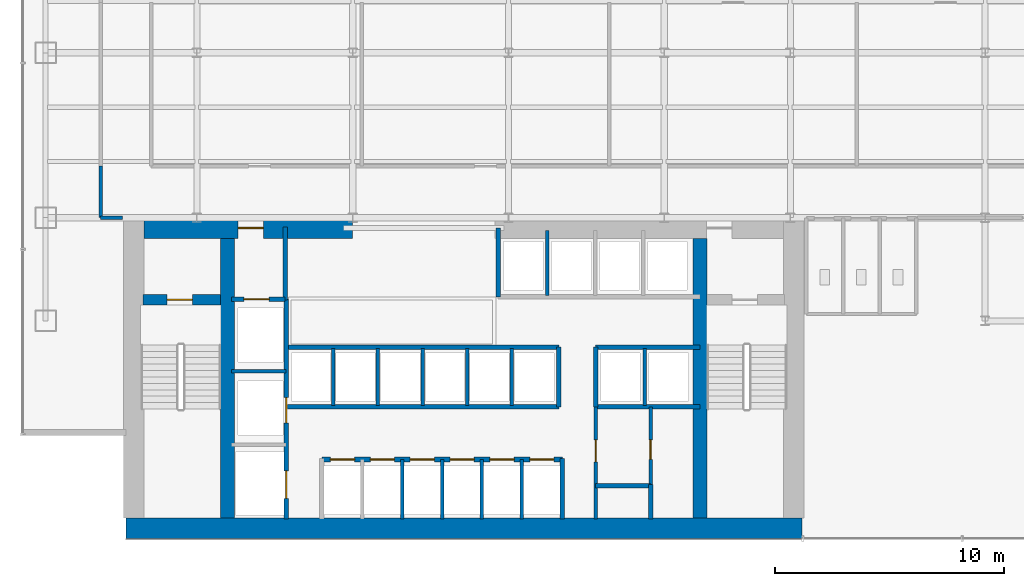
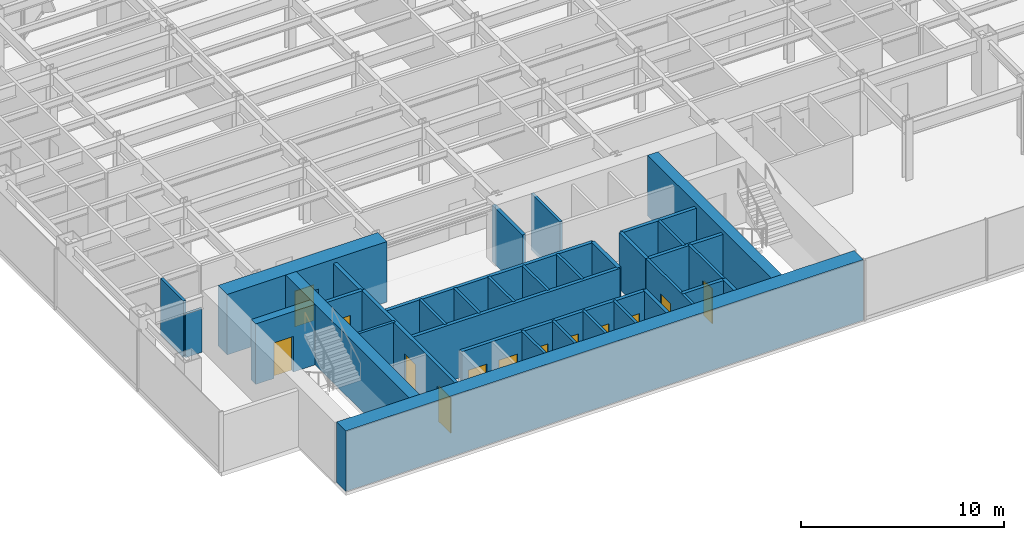
# One storey, part 18 of 23: 35 walls, 13 doors, 13 openings.
"""IFC4 building model written with IfcOpenShell, lengths in metres."""

from ifc_helpers import new_model, si_unit, derived_unit, direction, frame, frame_2d, origin, place, context, subcontext, project, spatial, rectangle, extrude, source, transform, mapped, material, layer, layer_set, type_object, element, fill, save


model = new_model("IFC4")

# Units and contexts
model_context = context("Model", 3, precision=1e-05, world=origin(), true_north=direction((0.0, 1.0)))
body_context = subcontext(model_context, "Body", "Model", "MODEL_VIEW")
ifc_project = project(units=[si_unit("LENGTHUNIT", "METRE"), si_unit("AREAUNIT", "SQUARE_METRE"), si_unit("VOLUMEUNIT", "CUBIC_METRE"), si_unit("PLANEANGLEUNIT", "RADIAN"), si_unit("MASSUNIT", "GRAM", prefix="KILO"), derived_unit("THERMALTRANSMITTANCEUNIT", [(si_unit("POWERUNIT", "WATT"), 1), (si_unit("LENGTHUNIT", "METRE"), -2), (si_unit("THERMODYNAMICTEMPERATUREUNIT", "KELVIN"), -1)])], contexts=[model_context])

# Site, building, storey
site_placement = place(None, origin())
site = spatial("IfcSite", under=ifc_project, at=site_placement, CompositionType="ELEMENT")
building_placement = place(site_placement, origin())
building = spatial("IfcBuilding", under=site, at=building_placement, Name="Skarnbrae Concourse Arena and Tower", CompositionType="ELEMENT")
storey_placement = place(building_placement, frame((0.0, 0.0, 50.75)))
storey = spatial("IfcBuildingStorey", under=building, at=storey_placement, Name="L11", CompositionType="ELEMENT", Elevation=50.75)

# Wall
ifc_material_1 = material(Name="Concrete 70 MPa (C70/85)", Category="concrete")
ifc_layer_1 = layer(ifc_material_1, 0.89990234375)
ifc_layer_set_1 = layer_set([ifc_layer_1], Name="Concrete 70 MPa (C70/85)")
wall_type_1 = type_object("IfcWallType", Name="WALL-CORE-900-C70", PredefinedType="SHEAR", material=ifc_layer_set_1)
shared_shape_1 = source(origin(), body_context, "Body", "SweptSolid", [
    extrude(rectangle(XDim=29.5, YDim=0.89990234375, at=frame_2d((14.75, 0.0))), origin(), (0.0, 0.0, 1.0), 3.64990234375),
])
wall_1_placement = place(storey_placement, frame((4.5, 0.449951171875, 0.0), z_axis=(0.0, 0.0, 1.0), x_axis=(1.0, 0.0, 0.0)))
element("IfcWall", 1, at=wall_1_placement, inside=storey, type_object=wall_type_1, Name="L11 Rear core shear wall CW-S", PredefinedType="SHEAR", context=body_context, shape_type="MappedRepresentation", body=[
    mapped(shared_shape_1, transform((0.0, 0.0, 0.0))),
])

# Wall, opening, door
shared_shape_2 = source(origin(), body_context, "Body", "SweptSolid", [
    extrude(rectangle(XDim=9.099853515625, YDim=0.89990234375, at=frame_2d((4.5498046875, 0.0))), origin(), (0.0, 0.0, 1.0), 3.64990234375),
])
wall_2_placement = place(storey_placement, frame((5.300048828125, 13.550048828125, 0.0), z_axis=(0.0, 0.0, 1.0), x_axis=(1.0, 0.0, 0.0)))
wall_2 = element("IfcWall", 2, at=wall_2_placement, inside=storey, type_object=wall_type_1, Name="L11 Rear core shear wall CW-NW", PredefinedType="SHEAR", context=body_context, shape_type="MappedRepresentation", body=[
    mapped(shared_shape_2, transform((0.0, 0.0, 0.0))),
])
opening_1_placement = place(wall_2_placement, frame((4.10009765625, 0.0, 0.0)))
opening_1 = element("IfcOpeningElement", 3, at=opening_1_placement, cuts=wall_2, Name="Opening DT-03", PredefinedType="OPENING", context=body_context, shape_type="SweptSolid", body=[
    extrude(rectangle(XDim=1.10009765625, YDim=2.14990234375, at=frame_2d((0.550048828125, 1.074951171875))), frame((0.0, 0.4599609375, 0.0), z_axis=(0.0, -1.0, 0.0), x_axis=(1.0, 0.0, 0.0)), (0.0, 0.0, 1.0), 0.919921875),
])
ifc_material_2 = material(Name="Steel CSA G40.21 350W", Category="steel")
door_type_1 = type_object("IfcDoorType", Name="DOOR-FIRE-1100-90M", OperationType="NOTDEFINED", PredefinedType="DOOR", material=ifc_material_2)
shared_shape_3 = source(origin(), body_context, "Body", "SweptSolid", [
    extrude(rectangle(XDim=1.10009765625, YDim=2.14990234375, at=frame_2d((0.550048828125, 1.074951171875))), frame((0.0, 0.02490234375, 0.0), z_axis=(0.0, -1.0, 0.0), x_axis=(1.0, 0.0, 0.0)), (0.0, 0.0, 1.0), 0.050048828125),
])
door_1_placement = place(opening_1_placement, origin())
door_1 = element("IfcDoor", 4, at=door_1_placement, inside=storey, type_object=door_type_1, Name="D-0467 Firefighting Lobby Exit Door", OperationType="SINGLE_SWING_RIGHT", OverallHeight=2.14990234375, OverallWidth=1.10009765625, PredefinedType="DOOR", context=body_context, shape_type="MappedRepresentation", body=[
    mapped(shared_shape_3, transform((0.0, 0.0, 0.0))),
])
fill(opening_1, door_1)

# Walls
ifc_layer_2 = layer(ifc_material_1, 0.60009765625)
ifc_layer_set_2 = layer_set([ifc_layer_2], Name="Concrete 70 MPa (C70/85)")
wall_type_2 = type_object("IfcWallType", Name="WALL-CORE-600-C70", PredefinedType="SHEAR", material=ifc_layer_set_2)
shared_shape_4 = source(origin(), body_context, "Body", "SweptSolid", [
    extrude(rectangle(XDim=12.2001953125, YDim=0.60009765625, at=frame_2d((6.10009765625, 0.0))), origin(), (0.0, 0.0, 1.0), 3.64990234375),
])
for number, where, z_axis, x_axis, name in (
    (5, (8.93994140625, 0.89990234375, 0.0), (0.0, 0.0, 1.0), (0.0, 1.0, 0.0), "L11 Rear core shear wall CW-WEB-W"),
    (6, (29.56005859375, 0.89990234375, 0.0), (0.0, 0.0, 1.0), (0.0, 1.0, 0.0), "L11 Rear core shear wall CW-WEB-E"),
):
    element("IfcWall", number, at=place(storey_placement, frame(where, z_axis=z_axis, x_axis=x_axis)), inside=storey, type_object=wall_type_2, Name=name, PredefinedType="SHEAR", context=body_context, shape_type="MappedRepresentation", body=[
        mapped(shared_shape_4, transform((0.0, 0.0, 0.0))),
    ])

# Wall, opening, door
ifc_material_3 = material(Name="Concrete 50 MPa (C50/60)", Category="concrete")
ifc_layer_3 = layer(ifc_material_3, 0.449951171875)
ifc_layer_set_3 = layer_set([ifc_layer_3], Name="Concrete 50 MPa (C50/60)")
wall_type_3 = type_object("IfcWallType", Name="WALL-CORE-450-C50", PredefinedType="SHEAR", material=ifc_layer_set_3)
shared_shape_5 = source(origin(), body_context, "Body", "SweptSolid", [
    extrude(rectangle(XDim=3.389892578125, YDim=0.449951171875, at=frame_2d((1.69482421875, 0.0))), origin(), (0.0, 0.0, 1.0), 3.64990234375),
])
wall_3_placement = place(storey_placement, frame((5.25, 10.419921875, 0.0), z_axis=(0.0, 0.0, 1.0), x_axis=(1.0, 0.0, 0.0)))
wall_3 = element("IfcWall", 7, at=wall_3_placement, inside=storey, type_object=wall_type_3, Name="L11 Rear core shear wall CW-ST1-N", PredefinedType="SHEAR", context=body_context, shape_type="MappedRepresentation", body=[
    mapped(shared_shape_5, transform((0.0, 0.0, 0.0))),
])
opening_2_placement = place(wall_3_placement, frame((1.050048828125, 0.0, 0.0)))
opening_2 = element("IfcOpeningElement", 8, at=opening_2_placement, cuts=wall_3, Name="Opening DT-03", PredefinedType="OPENING", context=body_context, shape_type="SweptSolid", body=[
    extrude(rectangle(XDim=1.10009765625, YDim=2.14990234375, at=frame_2d((0.550048828125, 1.074951171875))), frame((0.0, 0.23486328125, 0.0), z_axis=(0.0, -1.0, 0.0), x_axis=(1.0, 0.0, 0.0)), (0.0, 0.0, 1.0), 0.469970703125),
])
door_2_placement = place(opening_2_placement, frame((1.10009765625, 0.0, 0.0), z_axis=(0.0, 0.0, 1.0), x_axis=(-1.0, 0.0, 0.0)))
door_2 = element("IfcDoor", 9, at=door_2_placement, inside=storey, type_object=door_type_1, Name="D-0465 Stair ST-1 Door", OperationType="SINGLE_SWING_LEFT", OverallHeight=2.14990234375, OverallWidth=1.10009765625, PredefinedType="DOOR", context=body_context, shape_type="MappedRepresentation", body=[
    mapped(shared_shape_3, transform((0.0, 0.0, 0.0))),
])
fill(opening_2, door_2)

# Wall
ifc_material_4 = material(Name="Gypsum board on cold-formed steel studs", Category="steel")
ifc_layer_4 = layer(ifc_material_4, 0.199951171875)
ifc_layer_set_4 = layer_set([ifc_layer_4], Name="Gypsum board on cold-formed steel studs")
wall_type_4 = type_object("IfcWallType", Name="WALL-PART-200-2HR", PredefinedType="PARTITIONING", material=ifc_layer_set_4)
shared_shape_6 = source(origin(), body_context, "Body", "SweptSolid", [
    extrude(rectangle(XDim=3.18017578125, YDim=0.199951171875, at=frame_2d((1.590087890625, 0.0))), origin(), (0.0, 0.0, 1.0), 3.39990234375),
])
wall_4_placement = place(storey_placement, frame((11.449951171875, 10.419921875, 0.0), z_axis=(0.0, 0.0, 1.0), x_axis=(0.0, 1.0, 0.0)))
element("IfcWall", 10, at=wall_4_placement, inside=storey, type_object=wall_type_4, Name="L11 Interior partition wall W-L11-FFL-E", PredefinedType="PARTITIONING", context=body_context, shape_type="MappedRepresentation", body=[
    mapped(shared_shape_6, transform((0.0, 0.0, 0.0))),
])

# Wall, opening, door
shared_shape_7 = source(origin(), body_context, "Body", "SweptSolid", [
    extrude(rectangle(XDim=2.349853515625, YDim=0.199951171875, at=frame_2d((1.1748046875, 0.0))), origin(), (0.0, 0.0, 1.0), 3.39990234375),
])
wall_5_placement = place(storey_placement, frame((9.10009765625, 10.449951171875, 0.0), z_axis=(0.0, 0.0, 1.0), x_axis=(1.0, 0.0, 0.0)))
wall_5 = element("IfcWall", 11, at=wall_5_placement, inside=storey, type_object=wall_type_4, Name="L11 Interior partition wall W-L11-FL1-N", PredefinedType="PARTITIONING", context=body_context, shape_type="MappedRepresentation", body=[
    mapped(shared_shape_7, transform((0.0, 0.0, 0.0))),
])
opening_3_placement = place(wall_5_placement, frame((0.550048828125, 0.0, 0.0)))
opening_3 = element("IfcOpeningElement", 12, at=opening_3_placement, cuts=wall_5, Name="Opening LD-01", PredefinedType="OPENING", context=body_context, shape_type="SweptSolid", body=[
    extrude(rectangle(XDim=1.10009765625, YDim=2.14990234375, at=frame_2d((0.550048828125, 1.074951171875))), frame((0.0, 0.10986328125, 0.0), z_axis=(0.0, -1.0, 0.0), x_axis=(1.0, 0.0, 0.0)), (0.0, 0.0, 1.0), 0.219970703125),
])
door_type_2 = type_object("IfcDoorType", Name="DOOR-LIFT-SLIDE-1100", OperationType="SLIDING_TO_LEFT", PredefinedType="DOOR", material=ifc_material_2)
door_3_placement = place(opening_3_placement, origin())
door_3 = element("IfcDoor", 13, at=door_3_placement, inside=storey, type_object=door_type_2, Name="D-0469 Firefighting Lift Landing Door FL-01", OperationType="SLIDING_TO_LEFT", OverallHeight=2.14990234375, OverallWidth=1.10009765625, PredefinedType="DOOR", context=body_context, shape_type="MappedRepresentation", body=[
    mapped(shared_shape_3, transform((0.0, 0.0, 0.0))),
])
fill(opening_3, door_3)

# Wall, openings, doors
shared_shape_8 = source(origin(), body_context, "Body", "SweptSolid", [
    extrude(rectangle(XDim=9.599853515625, YDim=0.199951171875, at=frame_2d((4.7998046875, 0.0))), origin(), (0.0, 0.0, 1.0), 3.39990234375),
])
wall_6_placement = place(storey_placement, frame((11.5, 0.85009765625, 0.0), z_axis=(0.0, 0.0, 1.0), x_axis=(0.0, 1.0, 0.0)))
wall_6 = element("IfcWall", 14, at=wall_6_placement, inside=storey, type_object=wall_type_4, Name="L11 Interior partition wall W-L11-FL-E", PredefinedType="PARTITIONING", context=body_context, shape_type="MappedRepresentation", body=[
    mapped(shared_shape_8, transform((0.0, 0.0, 0.0))),
])
opening_4_placement = place(wall_6_placement, frame((4.199951171875, 0.0, 0.0)))
opening_4 = element("IfcOpeningElement", 15, at=opening_4_placement, cuts=wall_6, Name="Opening LD-01", PredefinedType="OPENING", context=body_context, shape_type="SweptSolid", body=[
    extrude(rectangle(XDim=1.10009765625, YDim=2.14990234375, at=frame_2d((0.550048828125, 1.074951171875))), frame((0.0, 0.10986328125, 0.0), z_axis=(0.0, -1.0, 0.0), x_axis=(1.0, 0.0, 0.0)), (0.0, 0.0, 1.0), 0.219970703125),
])
opening_5_placement = place(wall_6_placement, frame((0.89990234375, 0.0, 0.0)))
opening_5 = element("IfcOpeningElement", 16, at=opening_5_placement, cuts=wall_6, Name="Opening LD-02", PredefinedType="OPENING", context=body_context, shape_type="SweptSolid", body=[
    extrude(rectangle(XDim=1.199951171875, YDim=2.14990234375, at=frame_2d((0.60009765625, 1.074951171875))), frame((0.0, 0.10986328125, 0.0), z_axis=(0.0, -1.0, 0.0), x_axis=(1.0, 0.0, 0.0)), (0.0, 0.0, 1.0), 0.219970703125),
])
door_4_placement = place(opening_4_placement, frame((1.10009765625, 0.0, 0.0), z_axis=(0.0, 0.0, 1.0), x_axis=(-1.0, 0.0, 0.0)))
door_4 = element("IfcDoor", 17, at=door_4_placement, inside=storey, type_object=door_type_2, Name="D-0470 Firefighting Lift Landing Door FL-02", OperationType="SLIDING_TO_LEFT", OverallHeight=2.14990234375, OverallWidth=1.10009765625, PredefinedType="DOOR", context=body_context, shape_type="MappedRepresentation", body=[
    mapped(shared_shape_3, transform((0.0, 0.0, 0.0))),
])
fill(opening_4, door_4)
door_type_3 = type_object("IfcDoorType", Name="DOOR-LIFT-SLIDE-1200", OperationType="SLIDING_TO_LEFT", PredefinedType="DOOR", material=ifc_material_2)
shared_shape_9 = source(origin(), body_context, "Body", "SweptSolid", [
    extrude(rectangle(XDim=1.199951171875, YDim=2.14990234375, at=frame_2d((0.60009765625, 1.074951171875))), frame((0.0, 0.02490234375, 0.0), z_axis=(0.0, -1.0, 0.0), x_axis=(1.0, 0.0, 0.0)), (0.0, 0.0, 1.0), 0.050048828125),
])
door_5_placement = place(opening_5_placement, frame((1.199951171875, 0.0, 0.0), z_axis=(0.0, 0.0, 1.0), x_axis=(-1.0, 0.0, 0.0)))
door_5 = element("IfcDoor", 18, at=door_5_placement, inside=storey, type_object=door_type_3, Name="D-0471 Service Lift Landing Door SV-01", OperationType="SLIDING_TO_LEFT", OverallHeight=2.14990234375, OverallWidth=1.199951171875, PredefinedType="DOOR", context=body_context, shape_type="MappedRepresentation", body=[
    mapped(shared_shape_9, transform((0.0, 0.0, 0.0))),
])
fill(opening_5, door_5)

# Walls
ifc_layer_5 = layer(ifc_material_4, 0.14990234375)
ifc_layer_set_5 = layer_set([ifc_layer_5], Name="Gypsum board on cold-formed steel studs")
wall_type_5 = type_object("IfcWallType", Name="WALL-PART-150", PredefinedType="PARTITIONING", material=ifc_layer_set_5)
shared_shape_10 = source(origin(), body_context, "Body", "SweptSolid", [
    extrude(rectangle(XDim=2.39990234375, YDim=0.14990234375, at=frame_2d((1.199951171875, 0.0))), origin(), (0.0, 0.0, 1.0), 3.39990234375),
])
wall_7_placement = place(storey_placement, frame((9.10009765625, 7.300048828125, 0.0), z_axis=(0.0, 0.0, 1.0), x_axis=(1.0, 0.0, 0.0)))
element("IfcWall", 19, at=wall_7_placement, inside=storey, type_object=wall_type_5, Name="L11 Interior partition wall W-L11-FL-D2", PredefinedType="PARTITIONING", context=body_context, shape_type="MappedRepresentation", body=[
    mapped(shared_shape_10, transform((0.0, 0.0, 0.0))),
])
shared_shape_11 = source(origin(), body_context, "Body", "SweptSolid", [
    extrude(rectangle(XDim=2.64990234375, YDim=0.199951171875, at=frame_2d((1.324951171875, 0.0))), origin(), (0.0, 0.0, 1.0), 3.39990234375),
])
wall_8_placement = place(storey_placement, frame((23.550048828125, 0.85009765625, 0.0), z_axis=(0.0, 0.0, 1.0), x_axis=(0.0, 1.0, 0.0)))
element("IfcWall", 20, at=wall_8_placement, inside=storey, type_object=wall_type_4, Name="L11 Interior partition wall W-L11-B1-E", PredefinedType="PARTITIONING", context=body_context, shape_type="MappedRepresentation", body=[
    mapped(shared_shape_11, transform((0.0, 0.0, 0.0))),
])

# Wall, openings, doors
shared_shape_12 = source(origin(), body_context, "Body", "SweptSolid", [
    extrude(rectangle(XDim=10.5, YDim=0.199951171875, at=frame_2d((5.25, 0.0))), origin(), (0.0, 0.0, 1.0), 3.39990234375),
])
wall_9_placement = place(storey_placement, frame((13.050048828125, 3.449951171875, 0.0), z_axis=(0.0, 0.0, 1.0), x_axis=(1.0, 0.0, 0.0)))
wall_9 = element("IfcWall", 21, at=wall_9_placement, inside=storey, type_object=wall_type_4, Name="L11 Interior partition wall W-L11-B1-N", PredefinedType="PARTITIONING", context=body_context, shape_type="MappedRepresentation", body=[
    mapped(shared_shape_12, transform((0.0, 0.0, 0.0))),
])
opening_6_placement = place(wall_9_placement, frame((0.3798828125, 0.0, 0.0)))
opening_6 = element("IfcOpeningElement", 22, at=opening_6_placement, cuts=wall_9, Name="Opening LD-03", PredefinedType="OPENING", context=body_context, shape_type="SweptSolid", body=[
    extrude(rectangle(XDim=1.050048828125, YDim=2.14990234375, at=frame_2d((0.52490234375, 1.074951171875))), frame((0.0, 0.10986328125, 0.0), z_axis=(0.0, -1.0, 0.0), x_axis=(1.0, 0.0, 0.0)), (0.0, 0.0, 1.0), 0.219970703125),
])
opening_7_placement = place(wall_9_placement, frame((2.1201171875, 0.0, 0.0)))
opening_7 = element("IfcOpeningElement", 23, at=opening_7_placement, cuts=wall_9, Name="Opening LD-03", PredefinedType="OPENING", context=body_context, shape_type="SweptSolid", body=[
    extrude(rectangle(XDim=1.050048828125, YDim=2.14990234375, at=frame_2d((0.52490234375, 1.074951171875))), frame((0.0, 0.10986328125, 0.0), z_axis=(0.0, -1.0, 0.0), x_axis=(1.0, 0.0, 0.0)), (0.0, 0.0, 1.0), 0.219970703125),
])
opening_8_placement = place(wall_9_placement, frame((3.860107421875, 0.0, 0.0)))
opening_8 = element("IfcOpeningElement", 24, at=opening_8_placement, cuts=wall_9, Name="Opening LD-03", PredefinedType="OPENING", context=body_context, shape_type="SweptSolid", body=[
    extrude(rectangle(XDim=1.050048828125, YDim=2.14990234375, at=frame_2d((0.52490234375, 1.074951171875))), frame((0.0, 0.10986328125, 0.0), z_axis=(0.0, -1.0, 0.0), x_axis=(1.0, 0.0, 0.0)), (0.0, 0.0, 1.0), 0.219970703125),
])
opening_9_placement = place(wall_9_placement, frame((5.60009765625, 0.0, 0.0)))
opening_9 = element("IfcOpeningElement", 25, at=opening_9_placement, cuts=wall_9, Name="Opening LD-03", PredefinedType="OPENING", context=body_context, shape_type="SweptSolid", body=[
    extrude(rectangle(XDim=1.050048828125, YDim=2.14990234375, at=frame_2d((0.52490234375, 1.074951171875))), frame((0.0, 0.10986328125, 0.0), z_axis=(0.0, -1.0, 0.0), x_axis=(1.0, 0.0, 0.0)), (0.0, 0.0, 1.0), 0.219970703125),
])
opening_10_placement = place(wall_9_placement, frame((7.340087890625, 0.0, 0.0)))
opening_10 = element("IfcOpeningElement", 26, at=opening_10_placement, cuts=wall_9, Name="Opening LD-03", PredefinedType="OPENING", context=body_context, shape_type="SweptSolid", body=[
    extrude(rectangle(XDim=1.050048828125, YDim=2.14990234375, at=frame_2d((0.52490234375, 1.074951171875))), frame((0.0, 0.10986328125, 0.0), z_axis=(0.0, -1.0, 0.0), x_axis=(1.0, 0.0, 0.0)), (0.0, 0.0, 1.0), 0.219970703125),
])
opening_11_placement = place(wall_9_placement, frame((9.080078125, 0.0, 0.0)))
opening_11 = element("IfcOpeningElement", 27, at=opening_11_placement, cuts=wall_9, Name="Opening LD-03", PredefinedType="OPENING", context=body_context, shape_type="SweptSolid", body=[
    extrude(rectangle(XDim=1.050048828125, YDim=2.14990234375, at=frame_2d((0.52490234375, 1.074951171875))), frame((0.0, 0.10986328125, 0.0), z_axis=(0.0, -1.0, 0.0), x_axis=(1.0, 0.0, 0.0)), (0.0, 0.0, 1.0), 0.219970703125),
])
ifc_material_5 = material(Name="Bronze anodised aluminium 6063-T6", Category="aluminium")
door_type_4 = type_object("IfcDoorType", Name="DOOR-LIFT-SLIDE-1050", OperationType="SLIDING_TO_LEFT", PredefinedType="DOOR", material=ifc_material_5)
shared_shape_13 = source(origin(), body_context, "Body", "SweptSolid", [
    extrude(rectangle(XDim=1.050048828125, YDim=2.14990234375, at=frame_2d((0.52490234375, 1.074951171875))), frame((0.0, 0.02490234375, 0.0), z_axis=(0.0, -1.0, 0.0), x_axis=(1.0, 0.0, 0.0)), (0.0, 0.0, 1.0), 0.050048828125),
])
door_6_placement = place(opening_6_placement, origin())
door_6 = element("IfcDoor", 28, at=door_6_placement, inside=storey, type_object=door_type_4, Name="D-0472 Passenger Lift Landing Door PL-1A", OperationType="SLIDING_TO_LEFT", OverallHeight=2.14990234375, OverallWidth=1.050048828125, PredefinedType="DOOR", context=body_context, shape_type="MappedRepresentation", body=[
    mapped(shared_shape_13, transform((0.0, 0.0, 0.0))),
])
fill(opening_6, door_6)
door_7_placement = place(opening_7_placement, origin())
door_7 = element("IfcDoor", 29, at=door_7_placement, inside=storey, type_object=door_type_4, Name="D-0473 Passenger Lift Landing Door PL-1B", OperationType="SLIDING_TO_LEFT", OverallHeight=2.14990234375, OverallWidth=1.050048828125, PredefinedType="DOOR", context=body_context, shape_type="MappedRepresentation", body=[
    mapped(shared_shape_13, transform((0.0, 0.0, 0.0))),
])
fill(opening_7, door_7)
door_8_placement = place(opening_8_placement, origin())
door_8 = element("IfcDoor", 30, at=door_8_placement, inside=storey, type_object=door_type_4, Name="D-0474 Passenger Lift Landing Door PL-1C", OperationType="SLIDING_TO_LEFT", OverallHeight=2.14990234375, OverallWidth=1.050048828125, PredefinedType="DOOR", context=body_context, shape_type="MappedRepresentation", body=[
    mapped(shared_shape_13, transform((0.0, 0.0, 0.0))),
])
fill(opening_8, door_8)
door_9_placement = place(opening_9_placement, origin())
door_9 = element("IfcDoor", 31, at=door_9_placement, inside=storey, type_object=door_type_4, Name="D-0475 Passenger Lift Landing Door PL-1D", OperationType="SLIDING_TO_LEFT", OverallHeight=2.14990234375, OverallWidth=1.050048828125, PredefinedType="DOOR", context=body_context, shape_type="MappedRepresentation", body=[
    mapped(shared_shape_13, transform((0.0, 0.0, 0.0))),
])
fill(opening_9, door_9)
door_10_placement = place(opening_10_placement, origin())
door_10 = element("IfcDoor", 32, at=door_10_placement, inside=storey, type_object=door_type_4, Name="D-0476 Passenger Lift Landing Door PL-1E", OperationType="SLIDING_TO_LEFT", OverallHeight=2.14990234375, OverallWidth=1.050048828125, PredefinedType="DOOR", context=body_context, shape_type="MappedRepresentation", body=[
    mapped(shared_shape_13, transform((0.0, 0.0, 0.0))),
])
fill(opening_10, door_10)
door_11_placement = place(opening_11_placement, origin())
door_11 = element("IfcDoor", 33, at=door_11_placement, inside=storey, type_object=door_type_4, Name="D-0477 Passenger Lift Landing Door PL-1F", OperationType="SLIDING_TO_LEFT", OverallHeight=2.14990234375, OverallWidth=1.050048828125, PredefinedType="DOOR", context=body_context, shape_type="MappedRepresentation", body=[
    mapped(shared_shape_13, transform((0.0, 0.0, 0.0))),
])
fill(opening_11, door_11)

# Walls
shared_shape_14 = source(origin(), body_context, "Body", "SweptSolid", [
    extrude(rectangle(XDim=2.599853515625, YDim=0.14990234375, at=frame_2d((1.2998046875, 0.0))), origin(), (0.0, 0.0, 1.0), 3.39990234375),
])
for number, where, z_axis, x_axis, name in (
    (34, (16.56005859375, 0.85009765625, 0.0), (0.0, 0.0, 1.0), (0.0, 1.0, 0.0), "L11 Interior partition wall W-L11-B1-P2"),
    (35, (18.300048828125, 0.85009765625, 0.0), (0.0, 0.0, 1.0), (0.0, 1.0, 0.0), "L11 Interior partition wall W-L11-B1-P3"),
    (36, (20.0400390625, 0.85009765625, 0.0), (0.0, 0.0, 1.0), (0.0, 1.0, 0.0), "L11 Interior partition wall W-L11-B1-P4"),
    (37, (21.780029296875, 0.85009765625, 0.0), (0.0, 0.0, 1.0), (0.0, 1.0, 0.0), "L11 Interior partition wall W-L11-B1-P5"),
):
    element("IfcWall", number, at=place(storey_placement, frame(where, z_axis=z_axis, x_axis=x_axis)), inside=storey, type_object=wall_type_5, Name=name, PredefinedType="PARTITIONING", context=body_context, shape_type="MappedRepresentation", body=[
        mapped(shared_shape_14, transform((0.0, 0.0, 0.0))),
    ])
shared_shape_15 = source(origin(), body_context, "Body", "SweptSolid", [
    extrude(rectangle(XDim=11.849853515625, YDim=0.199951171875, at=frame_2d((5.9248046875, 0.0))), origin(), (0.0, 0.0, 1.0), 3.39990234375),
])
for number, where, z_axis, x_axis, name in (
    (38, (11.550048828125, 5.75, 0.0), (0.0, 0.0, 1.0), (1.0, 0.0, 0.0), "L11 Interior partition wall W-L11-B2-S"),
    (39, (11.550048828125, 8.35009765625, 0.0), (0.0, 0.0, 1.0), (1.0, 0.0, 0.0), "L11 Interior partition wall W-L11-B2-N"),
):
    element("IfcWall", number, at=place(storey_placement, frame(where, z_axis=z_axis, x_axis=x_axis)), inside=storey, type_object=wall_type_4, Name=name, PredefinedType="PARTITIONING", context=body_context, shape_type="MappedRepresentation", body=[
        mapped(shared_shape_15, transform((0.0, 0.0, 0.0))),
    ])
shared_shape_16 = source(origin(), body_context, "Body", "SweptSolid", [
    extrude(rectangle(XDim=2.60009765625, YDim=0.199951171875, at=frame_2d((1.300048828125, 0.0))), origin(), (0.0, 0.0, 1.0), 3.39990234375),
])
for number, where, z_axis, x_axis, name in (
    (40, (23.39990234375, 5.75, 0.0), (0.0, 0.0, 1.0), (0.0, 1.0, 0.0), "L11 Interior partition wall W-L11-B2-E"),
    (41, (25.0, 5.75, 0.0), (0.0, 0.0, 1.0), (0.0, 1.0, 0.0), "L11 Interior partition wall W-L11-B3S-W"),
):
    element("IfcWall", number, at=place(storey_placement, frame(where, z_axis=z_axis, x_axis=x_axis)), inside=storey, type_object=wall_type_4, Name=name, PredefinedType="PARTITIONING", context=body_context, shape_type="MappedRepresentation", body=[
        mapped(shared_shape_16, transform((0.0, 0.0, 0.0))),
    ])
shared_shape_17 = source(origin(), body_context, "Body", "SweptSolid", [
    extrude(rectangle(XDim=2.5, YDim=0.14990234375, at=frame_2d((1.25, 0.0))), origin(), (0.0, 0.0, 1.0), 3.39990234375),
])
for number, where, z_axis, x_axis, name in (
    (42, (13.550048828125, 5.800048828125, 0.0), (0.0, 0.0, 1.0), (0.0, 1.0, 0.0), "L11 Interior partition wall W-L11-B2-P1"),
    (43, (15.5, 5.800048828125, 0.0), (0.0, 0.0, 1.0), (0.0, 1.0, 0.0), "L11 Interior partition wall W-L11-B2-P2"),
    (44, (17.449951171875, 5.800048828125, 0.0), (0.0, 0.0, 1.0), (0.0, 1.0, 0.0), "L11 Interior partition wall W-L11-B2-P3"),
    (45, (19.39990234375, 5.800048828125, 0.0), (0.0, 0.0, 1.0), (0.0, 1.0, 0.0), "L11 Interior partition wall W-L11-B2-P4"),
    (46, (21.35009765625, 5.800048828125, 0.0), (0.0, 0.0, 1.0), (0.0, 1.0, 0.0), "L11 Interior partition wall W-L11-B2-P5"),
    (47, (27.139892578125, 5.800048828125, 0.0), (0.0, 0.0, 1.0), (0.0, 1.0, 0.0), "L11 Interior partition wall W-L11-B3S-P1"),
):
    element("IfcWall", number, at=place(storey_placement, frame(where, z_axis=z_axis, x_axis=x_axis)), inside=storey, type_object=wall_type_5, Name=name, PredefinedType="PARTITIONING", context=body_context, shape_type="MappedRepresentation", body=[
        mapped(shared_shape_17, transform((0.0, 0.0, 0.0))),
    ])
shared_shape_18 = source(origin(), body_context, "Body", "SweptSolid", [
    extrude(rectangle(XDim=3.0, YDim=0.199951171875, at=frame_2d((1.5, 0.0))), origin(), (0.0, 0.0, 1.0), 3.39990234375),
])
wall_10_placement = place(storey_placement, frame((20.75, 10.550048828125, 0.0), z_axis=(0.0, 0.0, 1.0), x_axis=(0.0, 1.0, 0.0)))
element("IfcWall", 48, at=wall_10_placement, inside=storey, type_object=wall_type_4, Name="L11 Interior partition wall W-L11-B3N-W", PredefinedType="PARTITIONING", context=body_context, shape_type="MappedRepresentation", body=[
    mapped(shared_shape_18, transform((0.0, 0.0, 0.0))),
])
shared_shape_19 = source(origin(), body_context, "Body", "SweptSolid", [
    extrude(rectangle(XDim=2.849853515625, YDim=0.14990234375, at=frame_2d((1.4248046875, 0.0))), origin(), (0.0, 0.0, 1.0), 3.39990234375),
])
wall_11_placement = place(storey_placement, frame((22.889892578125, 10.60009765625, 0.0), z_axis=(0.0, 0.0, 1.0), x_axis=(0.0, 1.0, 0.0)))
element("IfcWall", 49, at=wall_11_placement, inside=storey, type_object=wall_type_5, Name="L11 Interior partition wall W-L11-B3N-P1", PredefinedType="PARTITIONING", context=body_context, shape_type="MappedRepresentation", body=[
    mapped(shared_shape_19, transform((0.0, 0.0, 0.0))),
])
shared_shape_20 = source(origin(), body_context, "Body", "SweptSolid", [
    extrude(rectangle(XDim=4.550048828125, YDim=0.199951171875, at=frame_2d((2.27490234375, 0.0))), origin(), (0.0, 0.0, 1.0), 3.39990234375),
])
for number, where, z_axis, x_axis, name in (
    (50, (25.0, 8.35009765625, 0.0), (0.0, 0.0, 1.0), (1.0, 0.0, 0.0), "L11 Interior partition wall W-L11-B3S-N"),
    (51, (25.0, 5.75, 0.0), (0.0, 0.0, 1.0), (1.0, 0.0, 0.0), "L11 Interior partition wall W-L11-B3S-S"),
):
    element("IfcWall", number, at=place(storey_placement, frame(where, z_axis=z_axis, x_axis=x_axis)), inside=storey, type_object=wall_type_4, Name=name, PredefinedType="PARTITIONING", context=body_context, shape_type="MappedRepresentation", body=[
        mapped(shared_shape_20, transform((0.0, 0.0, 0.0))),
    ])

# Wall, opening, door
ifc_layer_6 = layer(ifc_material_4, 0.14990234375)
ifc_layer_set_6 = layer_set([ifc_layer_6], Name="Gypsum board on cold-formed steel studs")
wall_type_6 = type_object("IfcWallType", Name="WALL-PART-150-1HR", PredefinedType="PARTITIONING", material=ifc_layer_set_6)
shared_shape_21 = source(origin(), body_context, "Body", "SweptSolid", [
    extrude(rectangle(XDim=4.89990234375, YDim=0.14990234375, at=frame_2d((2.449951171875, 0.0))), origin(), (0.0, 0.0, 1.0), 3.39990234375),
])
wall_12_placement = place(storey_placement, frame((25.0, 0.85009765625, 0.0), z_axis=(0.0, 0.0, 1.0), x_axis=(0.0, 1.0, 0.0)))
wall_12 = element("IfcWall", 52, at=wall_12_placement, inside=storey, type_object=wall_type_6, Name="L11 Interior partition wall W-L11-CSV-W", PredefinedType="PARTITIONING", context=body_context, shape_type="MappedRepresentation", body=[
    mapped(shared_shape_21, transform((0.0, 0.0, 0.0))),
])
opening_12_placement = place(wall_12_placement, frame((2.5, 0.0, 0.0)))
opening_12 = element("IfcOpeningElement", 53, at=opening_12_placement, cuts=wall_12, Name="Opening DT-04", PredefinedType="OPENING", context=body_context, shape_type="SweptSolid", body=[
    extrude(rectangle(XDim=0.949951171875, YDim=2.14990234375, at=frame_2d((0.47509765625, 1.074951171875))), frame((0.0, 0.0849609375, 0.0), z_axis=(0.0, -1.0, 0.0), x_axis=(1.0, 0.0, 0.0)), (0.0, 0.0, 1.0), 0.169921875),
])
door_type_5 = type_object("IfcDoorType", Name="DOOR-INT-950-45M", OperationType="NOTDEFINED", PredefinedType="DOOR", material=ifc_material_2)
shared_shape_22 = source(origin(), body_context, "Body", "SweptSolid", [
    extrude(rectangle(XDim=0.949951171875, YDim=2.14990234375, at=frame_2d((0.47509765625, 1.074951171875))), frame((0.0, 0.02490234375, 0.0), z_axis=(0.0, -1.0, 0.0), x_axis=(1.0, 0.0, 0.0)), (0.0, 0.0, 1.0), 0.050048828125),
])
door_12_placement = place(opening_12_placement, origin())
door_12 = element("IfcDoor", 54, at=door_12_placement, inside=storey, type_object=door_type_5, Name="D-0478 Core Pantry Door", OperationType="SINGLE_SWING_RIGHT", OverallHeight=2.14990234375, OverallWidth=0.949951171875, PredefinedType="DOOR", context=body_context, shape_type="MappedRepresentation", body=[
    mapped(shared_shape_22, transform((0.0, 0.0, 0.0))),
])
fill(opening_12, door_12)

# Walls
shared_shape_23 = source(origin(), body_context, "Body", "SweptSolid", [
    extrude(rectangle(XDim=2.39990234375, YDim=0.199951171875, at=frame_2d((1.199951171875, 0.0))), origin(), (0.0, 0.0, 1.0), 3.39990234375),
])
wall_13_placement = place(storey_placement, frame((25.0, 2.300048828125, 0.0), z_axis=(0.0, 0.0, 1.0), x_axis=(1.0, 0.0, 0.0)))
element("IfcWall", 55, at=wall_13_placement, inside=storey, type_object=wall_type_4, Name="L11 Interior partition wall W-L11-MEP-N", PredefinedType="PARTITIONING", context=body_context, shape_type="MappedRepresentation", body=[
    mapped(shared_shape_23, transform((0.0, 0.0, 0.0))),
])
shared_shape_24 = source(origin(), body_context, "Body", "SweptSolid", [
    extrude(rectangle(XDim=1.5, YDim=0.199951171875, at=frame_2d((0.75, 0.0))), origin(), (0.0, 0.0, 1.0), 3.39990234375),
])
wall_14_placement = place(storey_placement, frame((27.39990234375, 0.85009765625, 0.0), z_axis=(0.0, 0.0, 1.0), x_axis=(0.0, 1.0, 0.0)))
element("IfcWall", 56, at=wall_14_placement, inside=storey, type_object=wall_type_4, Name="L11 Interior partition wall W-L11-MEP-E", PredefinedType="PARTITIONING", context=body_context, shape_type="MappedRepresentation", body=[
    mapped(shared_shape_24, transform((0.0, 0.0, 0.0))),
])
shared_shape_25 = source(origin(), body_context, "Body", "SweptSolid", [
    extrude(rectangle(XDim=0.9501953125, YDim=0.14990234375, at=frame_2d((0.47509765625, 0.0))), origin(), (0.0, 0.0, 1.0), 2.625),
])
wall_15_placement = place(storey_placement, frame((4.35009765625, 14.0, 0.0), z_axis=(0.0, 0.0, 1.0), x_axis=(-1.0, 0.0, 0.0)))
element("IfcWall", 57, at=wall_15_placement, inside=storey, type_object=wall_type_6, Name="L11 Interior partition wall W-L11-COR-01", PredefinedType="PARTITIONING", context=body_context, shape_type="MappedRepresentation", body=[
    mapped(shared_shape_25, transform((0.0, 0.0, 0.0))),
])
shared_shape_26 = source(origin(), body_context, "Body", "SweptSolid", [
    extrude(rectangle(XDim=2.25, YDim=0.14990234375, at=frame_2d((1.125, 0.0))), origin(), (0.0, 0.0, 1.0), 3.39990234375),
])
wall_16_placement = place(storey_placement, frame((3.39990234375, 14.0, 0.0), z_axis=(0.0, 0.0, 1.0), x_axis=(0.0, 1.0, 0.0)))
element("IfcWall", 58, at=wall_16_placement, inside=storey, type_object=wall_type_6, Name="L11 Interior partition wall W-L11-COR-02", PredefinedType="PARTITIONING", context=body_context, shape_type="MappedRepresentation", body=[
    mapped(shared_shape_26, transform((0.0, 0.0, 0.0))),
])

# Wall, opening, door
shared_shape_27 = source(origin(), body_context, "Body", "SweptSolid", [
    extrude(rectangle(XDim=3.39990234375, YDim=0.14990234375, at=frame_2d((1.699951171875, 0.0))), origin(), (0.0, 0.0, 1.0), 3.39990234375),
])
wall_17_placement = place(storey_placement, frame((27.39990234375, 2.35009765625, 0.0), z_axis=(0.0, 0.0, 1.0), x_axis=(0.0, 1.0, 0.0)))
wall_17 = element("IfcWall", 59, at=wall_17_placement, inside=storey, type_object=wall_type_5, Name="L11 Interior partition wall W-L11-CSV-V", PredefinedType="PARTITIONING", context=body_context, shape_type="MappedRepresentation", body=[
    mapped(shared_shape_27, transform((0.0, 0.0, 0.0))),
])
opening_13_placement = place(wall_17_placement, frame((1.10009765625, 0.0, 0.0)))
opening_13 = element("IfcOpeningElement", 60, at=opening_13_placement, cuts=wall_17, Name="Opening DT-06", PredefinedType="OPENING", context=body_context, shape_type="SweptSolid", body=[
    extrude(rectangle(XDim=0.85009765625, YDim=2.10009765625, at=frame_2d((0.425048828125, 1.050048828125))), frame((0.0, 0.0849609375, 0.0), z_axis=(0.0, -1.0, 0.0), x_axis=(1.0, 0.0, 0.0)), (0.0, 0.0, 1.0), 0.169921875),
])
ifc_material_6 = material(Name="Architectural oak veneer timber leaf", Category="wood")
door_type_6 = type_object("IfcDoorType", Name="DOOR-INT-850", OperationType="NOTDEFINED", PredefinedType="DOOR", material=ifc_material_6)
shared_shape_28 = source(origin(), body_context, "Body", "SweptSolid", [
    extrude(rectangle(XDim=0.85009765625, YDim=2.10009765625, at=frame_2d((0.425048828125, 1.050048828125))), frame((0.0, 0.02490234375, 0.0), z_axis=(0.0, -1.0, 0.0), x_axis=(1.0, 0.0, 0.0)), (0.0, 0.0, 1.0), 0.050048828125),
])
door_13_placement = place(opening_13_placement, frame((0.85009765625, 0.0, 0.0), z_axis=(0.0, 0.0, 1.0), x_axis=(-1.0, 0.0, 0.0)))
door_13 = element("IfcDoor", 61, at=door_13_placement, inside=storey, type_object=door_type_6, Name="D-0479 Supply Cupboard Door", OperationType="SINGLE_SWING_LEFT", OverallHeight=2.10009765625, OverallWidth=0.85009765625, PredefinedType="DOOR", context=body_context, shape_type="MappedRepresentation", body=[
    mapped(shared_shape_28, transform((0.0, 0.0, 0.0))),
])
fill(opening_13, door_13)

save(model, "model.ifc")
